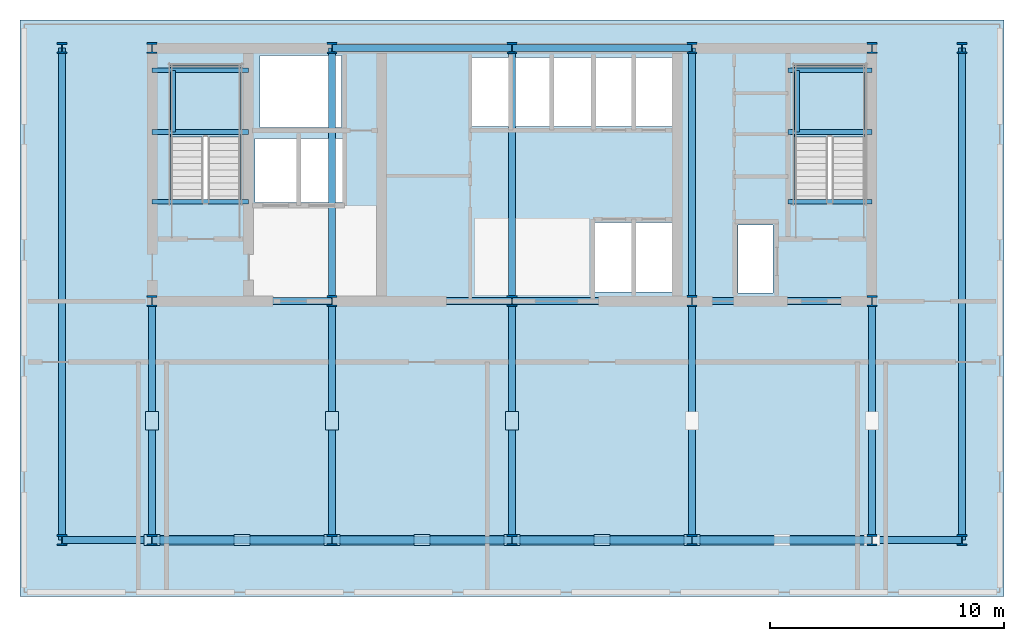
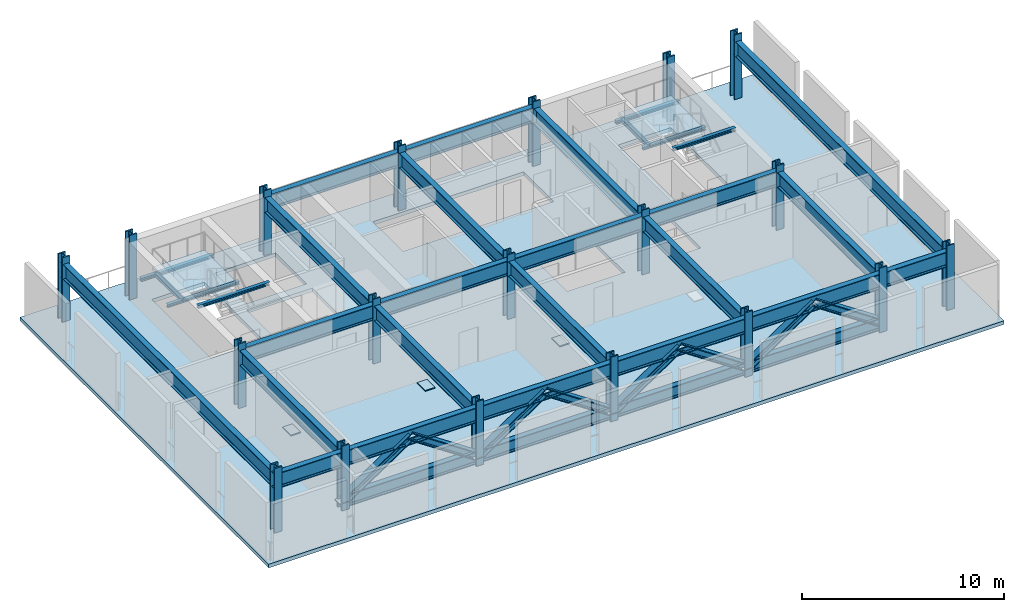
# One storey, part 1 of 7: 30 beams, 19 columns, 12 members, 10 plates, 3 slabs, 2 elements without a shape of their own.
"""IFC4 building model written with IfcOpenShell, lengths in metres."""

from ifc_helpers import new_model, si_unit, direction, frame, origin, origin_2d, place, context, subcontext, project, spatial, polyline, rectangle, i_section, outline, extrude, material, layer, layer_set, material_profile, profile_set, type_object, element, aggregate, save


model = new_model("IFC4")

# Units and contexts
model_context = context("Model", 3, precision=1e-05, world=origin(), true_north=direction((0.0, 1.0)))
body_context = subcontext(model_context, "Body", "Model", "MODEL_VIEW")
ifc_project = project(units=[si_unit("LENGTHUNIT", "METRE"), si_unit("AREAUNIT", "SQUARE_METRE"), si_unit("VOLUMEUNIT", "CUBIC_METRE"), si_unit("PLANEANGLEUNIT", "RADIAN"), si_unit("MASSUNIT", "GRAM", prefix="KILO")], contexts=[model_context])

# Site, building, storey
site_placement = place(None, origin())
site = spatial("IfcSite", under=ifc_project, at=site_placement, CompositionType="ELEMENT")
building_placement = place(site_placement, origin())
building = spatial("IfcBuilding", under=site, at=building_placement, Name="Yelkora Congress Tower", CompositionType="ELEMENT")
storey_placement = place(building_placement, frame((0.0, 0.0, 141.199951171875)))
storey = spatial("IfcBuildingStorey", under=building, at=storey_placement, Name="L38", CompositionType="ELEMENT", Elevation=141.199951171875)

# Columns
ifc_material_1 = material(Name="Steel S460M", Category="steel")
ifc_material_profile_1 = material_profile(ifc_material_1, i_section(OverallWidth=0.424072265625, OverallDepth=0.47412109375, WebThickness=0.047119140625, FlangeThickness=0.076904296875, FilletRadius=0.014892578125, at=origin_2d()), Name="HD 400x634")
ifc_profile_set_1 = profile_set([ifc_material_profile_1], Name="Steel S460M")
column_type = type_object("IfcColumnType", Name="COL-HD-634", PredefinedType="COLUMN", material=ifc_profile_set_1)
for number, where, z_axis, x_axis, name in (
    (1, (23.0400390625, 35.39990234375, 0.0), (0.0, 0.0, 1.0), (1.0, 0.0, 0.0), "L38 Mega Column MC-S1"),
    (2, (23.0400390625, 46.199951171875, 0.0), (0.0, 0.0, 1.0), (1.0, 0.0, 0.0), "L38 Mega Column MC-N1"),
    (3, (23.0400390625, 25.199951171875, 0.0), (0.0, 0.0, 1.0), (1.0, 0.0, 0.0), "L38 Mega Column MC-D1"),
    (4, (30.719970703125, 35.39990234375, 0.0), (0.0, 0.0, 1.0), (1.0, 0.0, 0.0), "L38 Mega Column MC-S2"),
    (5, (30.719970703125, 46.199951171875, 0.0), (0.0, 0.0, 1.0), (1.0, 0.0, 0.0), "L38 Mega Column MC-N2"),
    (6, (30.719970703125, 25.199951171875, 0.0), (0.0, 0.0, 1.0), (1.0, 0.0, 0.0), "L38 Mega Column MC-D2"),
    (7, (38.39990234375, 35.39990234375, 0.0), (0.0, 0.0, 1.0), (1.0, 0.0, 0.0), "L38 Mega Column MC-S3"),
    (8, (38.39990234375, 46.199951171875, 0.0), (0.0, 0.0, 1.0), (1.0, 0.0, 0.0), "L38 Mega Column MC-N3"),
    (9, (38.39990234375, 25.199951171875, 0.0), (0.0, 0.0, 1.0), (1.0, 0.0, 0.0), "L38 Mega Column MC-D3"),
    (10, (46.080078125, 35.39990234375, 0.0), (0.0, 0.0, 1.0), (1.0, 0.0, 0.0), "L38 Mega Column MC-S4"),
    (11, (46.080078125, 46.199951171875, 0.0), (0.0, 0.0, 1.0), (1.0, 0.0, 0.0), "L38 Mega Column MC-N4"),
    (12, (46.080078125, 25.199951171875, 0.0), (0.0, 0.0, 1.0), (1.0, 0.0, 0.0), "L38 Mega Column MC-D4"),
    (13, (53.760009765625, 35.39990234375, 0.0), (0.0, 0.0, 1.0), (1.0, 0.0, 0.0), "L38 Mega Column MC-S5"),
    (14, (53.760009765625, 46.199951171875, 0.0), (0.0, 0.0, 1.0), (1.0, 0.0, 0.0), "L38 Mega Column MC-N5"),
    (15, (53.760009765625, 25.199951171875, 0.0), (0.0, 0.0, 1.0), (1.0, 0.0, 0.0), "L38 Mega Column MC-D5"),
    (16, (19.199951171875, 25.199951171875, 0.0), (0.0, 0.0, 1.0), (1.0, 0.0, 0.0), "L38 Mega Column MC-F1"),
    (17, (57.60009765625, 25.199951171875, 0.0), (0.0, 0.0, 1.0), (1.0, 0.0, 0.0), "L38 Mega Column MC-F2"),
    (18, (19.199951171875, 46.199951171875, 0.0), (0.0, 0.0, 1.0), (1.0, 0.0, 0.0), "L38 Mega Column MC-F3"),
    (19, (57.60009765625, 46.199951171875, 0.0), (0.0, 0.0, 1.0), (1.0, 0.0, 0.0), "L38 Mega Column MC-F4"),
):
    element("IfcColumn", number, at=place(storey_placement, frame(where, z_axis=z_axis, x_axis=x_axis)), inside=storey, type_object=column_type, Name=name, PredefinedType="COLUMN", context=body_context, shape_type="SweptSolid", body=[
        extrude(i_section(OverallWidth=0.424072265625, OverallDepth=0.47412109375, WebThickness=0.047119140625, FlangeThickness=0.076904296875, FilletRadius=0.014892578125, at=origin_2d()), origin(), (0.0, 0.0, 1.0), 3.900146484375),
    ])

# Beams
ifc_material_2 = material(Name="Steel S355J2", Category="steel")
ifc_material_profile_2 = material_profile(ifc_material_2, i_section(OverallWidth=0.199951171875, OverallDepth=0.18994140625, WebThickness=0.006591796875, FlangeThickness=0.010009765625, FilletRadius=0.01806640625, at=origin_2d()), Name="HEA 200")
ifc_profile_set_2 = profile_set([ifc_material_profile_2], Name="Steel S355J2")
beam_type_1 = type_object("IfcBeamType", Name="BM-LAND-HEA200", PredefinedType="BEAM", material=ifc_profile_set_2)
for number, where, z_axis, x_axis, name in (
    (20, (23.0400390625, 42.6201171875, 1.634765625), (1.0, 0.0, 0.0), (0.0, 1.0, 0.0), "ST-01 L38 Landing Header Beam 1S"),
    (21, (23.0400390625, 45.25, 1.634765625), (1.0, 0.0, 0.0), (0.0, 1.0, 0.0), "ST-01 L38 Landing Header Beam 1N"),
):
    element("IfcBeam", number, at=place(storey_placement, frame(where, z_axis=z_axis, x_axis=x_axis)), inside=storey, type_object=beam_type_1, Name=name, PredefinedType="BEAM", context=body_context, shape_type="SweptSolid", body=[
        extrude(i_section(OverallWidth=0.199951171875, OverallDepth=0.18994140625, WebThickness=0.006591796875, FlangeThickness=0.010009765625, FilletRadius=0.01806640625, at=origin_2d()), origin(), (0.0, 0.0, 1.0), 4.10986328125),
    ])
beam_1_placement = place(storey_placement, frame((23.93994140625, 42.6201171875, 1.634765625), z_axis=(0.0, 1.0, 0.0), x_axis=(-1.0, 0.0, 0.0)))
element("IfcBeam", 22, at=beam_1_placement, inside=storey, type_object=beam_type_1, Name="ST-01 L38 Landing Trimmer Beam 1M", PredefinedType="BEAM", context=body_context, shape_type="SweptSolid", body=[
    extrude(i_section(OverallWidth=0.199951171875, OverallDepth=0.18994140625, WebThickness=0.006591796875, FlangeThickness=0.010009765625, FilletRadius=0.01806640625, at=origin_2d()), origin(), (0.0, 0.0, 1.0), 2.6298828125),
])
beam_2_placement = place(storey_placement, frame((23.0400390625, 39.639892578125, 3.384765625), z_axis=(1.0, 0.0, 0.0), x_axis=(0.0, 1.0, 0.0)))
element("IfcBeam", 23, at=beam_2_placement, inside=storey, type_object=beam_type_1, Name="ST-01 L38 Floor Arrival Stringer Header Beam", PredefinedType="BEAM", context=body_context, shape_type="SweptSolid", body=[
    extrude(i_section(OverallWidth=0.199951171875, OverallDepth=0.18994140625, WebThickness=0.006591796875, FlangeThickness=0.010009765625, FilletRadius=0.01806640625, at=origin_2d()), origin(), (0.0, 0.0, 1.0), 4.10986328125),
])
for number, where, z_axis, x_axis, name in (
    (24, (50.179931640625, 42.6201171875, 1.634765625), (1.0, 0.0, 0.0), (0.0, 1.0, 0.0), "ST-02 L38 Landing Header Beam 1S"),
    (25, (50.179931640625, 45.25, 1.634765625), (1.0, 0.0, 0.0), (0.0, 1.0, 0.0), "ST-02 L38 Landing Header Beam 1N"),
):
    element("IfcBeam", number, at=place(storey_placement, frame(where, z_axis=z_axis, x_axis=x_axis)), inside=storey, type_object=beam_type_1, Name=name, PredefinedType="BEAM", context=body_context, shape_type="SweptSolid", body=[
        extrude(i_section(OverallWidth=0.199951171875, OverallDepth=0.18994140625, WebThickness=0.006591796875, FlangeThickness=0.010009765625, FilletRadius=0.01806640625, at=origin_2d()), origin(), (0.0, 0.0, 1.0), 3.580078125),
    ])
beam_3_placement = place(storey_placement, frame((50.580078125, 42.6201171875, 1.634765625), z_axis=(0.0, 1.0, 0.0), x_axis=(-1.0, 0.0, 0.0)))
element("IfcBeam", 26, at=beam_3_placement, inside=storey, type_object=beam_type_1, Name="ST-02 L38 Landing Trimmer Beam 1M", PredefinedType="BEAM", context=body_context, shape_type="SweptSolid", body=[
    extrude(i_section(OverallWidth=0.199951171875, OverallDepth=0.18994140625, WebThickness=0.006591796875, FlangeThickness=0.010009765625, FilletRadius=0.01806640625, at=origin_2d()), origin(), (0.0, 0.0, 1.0), 2.6298828125),
])
beam_4_placement = place(storey_placement, frame((50.179931640625, 39.639892578125, 3.384765625), z_axis=(1.0, 0.0, 0.0), x_axis=(0.0, 1.0, 0.0)))
element("IfcBeam", 27, at=beam_4_placement, inside=storey, type_object=beam_type_1, Name="ST-02 L38 Floor Arrival Stringer Header Beam", PredefinedType="BEAM", context=body_context, shape_type="SweptSolid", body=[
    extrude(i_section(OverallWidth=0.199951171875, OverallDepth=0.18994140625, WebThickness=0.006591796875, FlangeThickness=0.010009765625, FilletRadius=0.01806640625, at=origin_2d()), origin(), (0.0, 0.0, 1.0), 3.580078125),
])
ifc_material_profile_3 = material_profile(ifc_material_1, i_section(OverallWidth=0.302001953125, OverallDepth=0.909912109375, WebThickness=0.02099609375, FlangeThickness=0.0400390625, FilletRadius=0.030029296875, at=origin_2d()), Name="HEM 900")
ifc_profile_set_3 = profile_set([ifc_material_profile_3], Name="Steel S460M")
beam_type_2 = type_object("IfcBeamType", Name="BM-XFER-HEM900", PredefinedType="BEAM", material=ifc_profile_set_3)
beam_5_placement = place(storey_placement, frame((19.199951171875, 25.199951171875, 3.025146484375), z_axis=(1.0, 0.0, 0.0), x_axis=(0.0, 1.0, 0.0)))
element("IfcBeam", 28, at=beam_5_placement, inside=storey, type_object=beam_type_2, Name="L38 Spine Grid D Girder 1", PredefinedType="BEAM", context=body_context, shape_type="SweptSolid", body=[
    extrude(i_section(OverallWidth=0.302001953125, OverallDepth=0.909912109375, WebThickness=0.02099609375, FlangeThickness=0.0400390625, FilletRadius=0.030029296875, at=origin_2d()), origin(), (0.0, 0.0, 1.0), 3.840087890625),
])
for number, where, z_axis, x_axis, name in (
    (29, (23.0400390625, 25.199951171875, 3.025146484375), (1.0, 0.0, 0.0), (0.0, 1.0, 0.0), "L38 Spine Grid D Girder 2"),
    (30, (30.719970703125, 25.199951171875, 3.025146484375), (1.0, 0.0, 0.0), (0.0, 1.0, 0.0), "L38 Spine Grid D Girder 3"),
):
    element("IfcBeam", number, at=place(storey_placement, frame(where, z_axis=z_axis, x_axis=x_axis)), inside=storey, type_object=beam_type_2, Name=name, PredefinedType="BEAM", context=body_context, shape_type="SweptSolid", body=[
        extrude(i_section(OverallWidth=0.302001953125, OverallDepth=0.909912109375, WebThickness=0.02099609375, FlangeThickness=0.0400390625, FilletRadius=0.030029296875, at=origin_2d()), origin(), (0.0, 0.0, 1.0), 7.679931640625),
    ])
beam_6_placement = place(storey_placement, frame((38.39990234375, 25.199951171875, 3.025146484375), z_axis=(1.0, 0.0, 0.0), x_axis=(0.0, 1.0, 0.0)))
element("IfcBeam", 31, at=beam_6_placement, inside=storey, type_object=beam_type_2, Name="L38 Spine Grid D Girder 4", PredefinedType="BEAM", context=body_context, shape_type="SweptSolid", body=[
    extrude(i_section(OverallWidth=0.302001953125, OverallDepth=0.909912109375, WebThickness=0.02099609375, FlangeThickness=0.0400390625, FilletRadius=0.030029296875, at=origin_2d()), origin(), (0.0, 0.0, 1.0), 7.68017578125),
])
beam_7_placement = place(storey_placement, frame((46.080078125, 25.199951171875, 3.025146484375), z_axis=(1.0, 0.0, 0.0), x_axis=(0.0, 1.0, 0.0)))
element("IfcBeam", 32, at=beam_7_placement, inside=storey, type_object=beam_type_2, Name="L38 Spine Grid D Girder 5", PredefinedType="BEAM", context=body_context, shape_type="SweptSolid", body=[
    extrude(i_section(OverallWidth=0.302001953125, OverallDepth=0.909912109375, WebThickness=0.02099609375, FlangeThickness=0.0400390625, FilletRadius=0.030029296875, at=origin_2d()), origin(), (0.0, 0.0, 1.0), 7.679931640625),
])
beam_8_placement = place(storey_placement, frame((53.760009765625, 25.199951171875, 3.025146484375), z_axis=(1.0, 0.0, 0.0), x_axis=(0.0, 1.0, 0.0)))
element("IfcBeam", 33, at=beam_8_placement, inside=storey, type_object=beam_type_2, Name="L38 Spine Grid D Girder 6", PredefinedType="BEAM", context=body_context, shape_type="SweptSolid", body=[
    extrude(i_section(OverallWidth=0.302001953125, OverallDepth=0.909912109375, WebThickness=0.02099609375, FlangeThickness=0.0400390625, FilletRadius=0.030029296875, at=origin_2d()), origin(), (0.0, 0.0, 1.0), 3.840087890625),
])
beam_9_placement = place(storey_placement, frame((30.719970703125, 46.199951171875, 3.025146484375), z_axis=(1.0, 0.0, 0.0), x_axis=(0.0, 1.0, 0.0)))
element("IfcBeam", 34, at=beam_9_placement, inside=storey, type_object=beam_type_2, Name="L38 Core North Girder 3", PredefinedType="BEAM", context=body_context, shape_type="SweptSolid", body=[
    extrude(i_section(OverallWidth=0.302001953125, OverallDepth=0.909912109375, WebThickness=0.02099609375, FlangeThickness=0.0400390625, FilletRadius=0.030029296875, at=origin_2d()), origin(), (0.0, 0.0, 1.0), 7.679931640625),
])
beam_10_placement = place(storey_placement, frame((38.39990234375, 46.199951171875, 3.025146484375), z_axis=(1.0, 0.0, 0.0), x_axis=(0.0, 1.0, 0.0)))
element("IfcBeam", 35, at=beam_10_placement, inside=storey, type_object=beam_type_2, Name="L38 Core North Girder 4", PredefinedType="BEAM", context=body_context, shape_type="SweptSolid", body=[
    extrude(i_section(OverallWidth=0.302001953125, OverallDepth=0.909912109375, WebThickness=0.02099609375, FlangeThickness=0.0400390625, FilletRadius=0.030029296875, at=origin_2d()), origin(), (0.0, 0.0, 1.0), 7.68017578125),
])
for number, where, z_axis, x_axis, name in (
    (36, (23.0400390625, 35.39990234375, 3.025146484375), (1.0, 0.0, 0.0), (0.0, 1.0, 0.0), "L38 Core South Girder 1"),
    (37, (30.719970703125, 35.39990234375, 3.025146484375), (1.0, 0.0, 0.0), (0.0, 1.0, 0.0), "L38 Core South Girder 2"),
):
    element("IfcBeam", number, at=place(storey_placement, frame(where, z_axis=z_axis, x_axis=x_axis)), inside=storey, type_object=beam_type_2, Name=name, PredefinedType="BEAM", context=body_context, shape_type="SweptSolid", body=[
        extrude(i_section(OverallWidth=0.302001953125, OverallDepth=0.909912109375, WebThickness=0.02099609375, FlangeThickness=0.0400390625, FilletRadius=0.030029296875, at=origin_2d()), origin(), (0.0, 0.0, 1.0), 7.679931640625),
    ])
beam_11_placement = place(storey_placement, frame((38.39990234375, 35.39990234375, 3.025146484375), z_axis=(1.0, 0.0, 0.0), x_axis=(0.0, 1.0, 0.0)))
element("IfcBeam", 38, at=beam_11_placement, inside=storey, type_object=beam_type_2, Name="L38 Core South Girder 3", PredefinedType="BEAM", context=body_context, shape_type="SweptSolid", body=[
    extrude(i_section(OverallWidth=0.302001953125, OverallDepth=0.909912109375, WebThickness=0.02099609375, FlangeThickness=0.0400390625, FilletRadius=0.030029296875, at=origin_2d()), origin(), (0.0, 0.0, 1.0), 7.68017578125),
])
beam_12_placement = place(storey_placement, frame((46.080078125, 35.39990234375, 3.025146484375), z_axis=(1.0, 0.0, 0.0), x_axis=(0.0, 1.0, 0.0)))
element("IfcBeam", 39, at=beam_12_placement, inside=storey, type_object=beam_type_2, Name="L38 Core South Girder 4", PredefinedType="BEAM", context=body_context, shape_type="SweptSolid", body=[
    extrude(i_section(OverallWidth=0.302001953125, OverallDepth=0.909912109375, WebThickness=0.02099609375, FlangeThickness=0.0400390625, FilletRadius=0.030029296875, at=origin_2d()), origin(), (0.0, 0.0, 1.0), 7.679931640625),
])
for number, where, z_axis, x_axis, name in (
    (40, (23.0400390625, 25.199951171875, 3.025146484375), (0.0, 1.0, 0.0), (-1.0, 0.0, 0.0), "L38 Core Tie Girder MC-D1"),
    (41, (30.719970703125, 25.199951171875, 3.025146484375), (0.0, 1.0, 0.0), (-1.0, 0.0, 0.0), "L38 Core Tie Girder MC-D2"),
):
    element("IfcBeam", number, at=place(storey_placement, frame(where, z_axis=z_axis, x_axis=x_axis)), inside=storey, type_object=beam_type_2, Name=name, PredefinedType="BEAM", context=body_context, shape_type="SweptSolid", body=[
        extrude(i_section(OverallWidth=0.302001953125, OverallDepth=0.909912109375, WebThickness=0.02099609375, FlangeThickness=0.0400390625, FilletRadius=0.030029296875, at=origin_2d()), origin(), (0.0, 0.0, 1.0), 10.199951171875),
    ])
beam_13_placement = place(storey_placement, frame((30.719970703125, 35.39990234375, 3.025146484375), z_axis=(0.0, 1.0, 0.0), x_axis=(-1.0, 0.0, 0.0)))
element("IfcBeam", 42, at=beam_13_placement, inside=storey, type_object=beam_type_2, Name="L38 Core Tie Girder MC-S2", PredefinedType="BEAM", context=body_context, shape_type="SweptSolid", body=[
    extrude(i_section(OverallWidth=0.302001953125, OverallDepth=0.909912109375, WebThickness=0.02099609375, FlangeThickness=0.0400390625, FilletRadius=0.030029296875, at=origin_2d()), origin(), (0.0, 0.0, 1.0), 10.800048828125),
])
beam_14_placement = place(storey_placement, frame((38.39990234375, 25.199951171875, 3.025146484375), z_axis=(0.0, 1.0, 0.0), x_axis=(-1.0, 0.0, 0.0)))
element("IfcBeam", 43, at=beam_14_placement, inside=storey, type_object=beam_type_2, Name="L38 Core Tie Girder MC-D3", PredefinedType="BEAM", context=body_context, shape_type="SweptSolid", body=[
    extrude(i_section(OverallWidth=0.302001953125, OverallDepth=0.909912109375, WebThickness=0.02099609375, FlangeThickness=0.0400390625, FilletRadius=0.030029296875, at=origin_2d()), origin(), (0.0, 0.0, 1.0), 10.199951171875),
])
beam_15_placement = place(storey_placement, frame((38.39990234375, 35.39990234375, 3.025146484375), z_axis=(0.0, 1.0, 0.0), x_axis=(-1.0, 0.0, 0.0)))
element("IfcBeam", 44, at=beam_15_placement, inside=storey, type_object=beam_type_2, Name="L38 Core Tie Girder MC-S3", PredefinedType="BEAM", context=body_context, shape_type="SweptSolid", body=[
    extrude(i_section(OverallWidth=0.302001953125, OverallDepth=0.909912109375, WebThickness=0.02099609375, FlangeThickness=0.0400390625, FilletRadius=0.030029296875, at=origin_2d()), origin(), (0.0, 0.0, 1.0), 10.800048828125),
])
beam_16_placement = place(storey_placement, frame((46.080078125, 25.199951171875, 3.025146484375), z_axis=(0.0, 1.0, 0.0), x_axis=(-1.0, 0.0, 0.0)))
element("IfcBeam", 45, at=beam_16_placement, inside=storey, type_object=beam_type_2, Name="L38 Core Tie Girder MC-D4", PredefinedType="BEAM", context=body_context, shape_type="SweptSolid", body=[
    extrude(i_section(OverallWidth=0.302001953125, OverallDepth=0.909912109375, WebThickness=0.02099609375, FlangeThickness=0.0400390625, FilletRadius=0.030029296875, at=origin_2d()), origin(), (0.0, 0.0, 1.0), 10.199951171875),
])
beam_17_placement = place(storey_placement, frame((46.080078125, 35.39990234375, 3.025146484375), z_axis=(0.0, 1.0, 0.0), x_axis=(-1.0, 0.0, 0.0)))
element("IfcBeam", 46, at=beam_17_placement, inside=storey, type_object=beam_type_2, Name="L38 Core Tie Girder MC-S4", PredefinedType="BEAM", context=body_context, shape_type="SweptSolid", body=[
    extrude(i_section(OverallWidth=0.302001953125, OverallDepth=0.909912109375, WebThickness=0.02099609375, FlangeThickness=0.0400390625, FilletRadius=0.030029296875, at=origin_2d()), origin(), (0.0, 0.0, 1.0), 10.800048828125),
])
beam_18_placement = place(storey_placement, frame((53.760009765625, 25.199951171875, 3.025146484375), z_axis=(0.0, 1.0, 0.0), x_axis=(-1.0, 0.0, 0.0)))
element("IfcBeam", 47, at=beam_18_placement, inside=storey, type_object=beam_type_2, Name="L38 Core Tie Girder MC-D5", PredefinedType="BEAM", context=body_context, shape_type="SweptSolid", body=[
    extrude(i_section(OverallWidth=0.302001953125, OverallDepth=0.909912109375, WebThickness=0.02099609375, FlangeThickness=0.0400390625, FilletRadius=0.030029296875, at=origin_2d()), origin(), (0.0, 0.0, 1.0), 10.199951171875),
])
for number, where, z_axis, x_axis, name in (
    (48, (19.199951171875, 25.199951171875, 3.025146484375), (0.0, 1.0, 0.0), (-1.0, 0.0, 0.0), "L38 Neck Flank Girder MC-F1"),
    (49, (57.60009765625, 25.199951171875, 3.025146484375), (0.0, 1.0, 0.0), (-1.0, 0.0, 0.0), "L38 Neck Flank Girder MC-F2"),
):
    element("IfcBeam", number, at=place(storey_placement, frame(where, z_axis=z_axis, x_axis=x_axis)), inside=storey, type_object=beam_type_2, Name=name, PredefinedType="BEAM", context=body_context, shape_type="SweptSolid", body=[
        extrude(i_section(OverallWidth=0.302001953125, OverallDepth=0.909912109375, WebThickness=0.02099609375, FlangeThickness=0.0400390625, FilletRadius=0.030029296875, at=origin_2d()), origin(), (0.0, 0.0, 1.0), 21.0),
    ])

# Members
ifc_material_profile_4 = material_profile(ifc_material_1, i_section(OverallWidth=0.406005859375, OverallDepth=0.416015625, WebThickness=0.02978515625, FlangeThickness=0.048095703125, FilletRadius=0.014892578125, at=origin_2d()), Name="HD 400x382")
ifc_profile_set_4 = profile_set([ifc_material_profile_4], Name="Steel S460M")
member_type_1 = type_object("IfcMemberType", Name="MEM-BRACE-HD382", PredefinedType="BRACE", material=ifc_profile_set_4)
member_1_placement = place(storey_placement, frame((23.0400390625, 25.199951171875, 0.449951171875), z_axis=(0.830031277085, 0.0, 0.557716844878), x_axis=(0.0, 1.0, 0.0)))
element("IfcMember", 50, at=member_1_placement, inside=storey, type_object=member_type_1, Name="N2 L38 Outrigger Belt Diagonal 1A", PredefinedType="BRACE", context=body_context, shape_type="SweptSolid", body=[
    extrude(i_section(OverallWidth=0.406005859375, OverallDepth=0.416015625, WebThickness=0.02978515625, FlangeThickness=0.048095703125, FilletRadius=0.014892578125, at=origin_2d()), origin(), (0.0, 0.0, 1.0), 4.626220703125),
])
for number, where, z_axis, x_axis, name in (
    (51, (30.719970703125, 25.199951171875, 0.449951171875), (-0.830047691294, 0.0, 0.557692415385), (0.0, -1.0, 0.0), "N2 L38 Outrigger Belt Diagonal 1B"),
    (52, (30.719970703125, 25.199951171875, 0.449951171875), (0.830047691294, 0.0, 0.557692415385), (0.0, 1.0, 0.0), "N2 L38 Outrigger Belt Diagonal 2A"),
):
    element("IfcMember", number, at=place(storey_placement, frame(where, z_axis=z_axis, x_axis=x_axis)), inside=storey, type_object=member_type_1, Name=name, PredefinedType="BRACE", context=body_context, shape_type="SweptSolid", body=[
        extrude(i_section(OverallWidth=0.406005859375, OverallDepth=0.416015625, WebThickness=0.02978515625, FlangeThickness=0.048095703125, FilletRadius=0.014892578125, at=origin_2d()), origin(), (0.0, 0.0, 1.0), 4.62646484375),
    ])
member_2_placement = place(storey_placement, frame((38.39990234375, 25.199951171875, 0.449951171875), z_axis=(-0.830031277085, 0.0, 0.557716844878), x_axis=(0.0, -1.0, 0.0)))
element("IfcMember", 53, at=member_2_placement, inside=storey, type_object=member_type_1, Name="N2 L38 Outrigger Belt Diagonal 2B", PredefinedType="BRACE", context=body_context, shape_type="SweptSolid", body=[
    extrude(i_section(OverallWidth=0.406005859375, OverallDepth=0.416015625, WebThickness=0.02978515625, FlangeThickness=0.048095703125, FilletRadius=0.014892578125, at=origin_2d()), origin(), (0.0, 0.0, 1.0), 4.626220703125),
])
for number, where, z_axis, x_axis, name in (
    (54, (38.39990234375, 25.199951171875, 0.449951171875), (0.830047691294, 0.0, 0.557692415385), (0.0, 1.0, 0.0), "N2 L38 Outrigger Belt Diagonal 3A"),
    (55, (46.080078125, 25.199951171875, 0.449951171875), (-0.830047691294, 0.0, 0.557692415385), (0.0, -1.0, 0.0), "N2 L38 Outrigger Belt Diagonal 3B"),
):
    element("IfcMember", number, at=place(storey_placement, frame(where, z_axis=z_axis, x_axis=x_axis)), inside=storey, type_object=member_type_1, Name=name, PredefinedType="BRACE", context=body_context, shape_type="SweptSolid", body=[
        extrude(i_section(OverallWidth=0.406005859375, OverallDepth=0.416015625, WebThickness=0.02978515625, FlangeThickness=0.048095703125, FilletRadius=0.014892578125, at=origin_2d()), origin(), (0.0, 0.0, 1.0), 4.62646484375),
    ])
member_3_placement = place(storey_placement, frame((46.080078125, 25.199951171875, 0.449951171875), z_axis=(0.830031277085, 0.0, 0.557716844878), x_axis=(0.0, 1.0, 0.0)))
element("IfcMember", 56, at=member_3_placement, inside=storey, type_object=member_type_1, Name="N2 L38 Outrigger Belt Diagonal 4A", PredefinedType="BRACE", context=body_context, shape_type="SweptSolid", body=[
    extrude(i_section(OverallWidth=0.406005859375, OverallDepth=0.416015625, WebThickness=0.02978515625, FlangeThickness=0.048095703125, FilletRadius=0.014892578125, at=origin_2d()), origin(), (0.0, 0.0, 1.0), 4.626220703125),
])
member_4_placement = place(storey_placement, frame((53.760009765625, 25.199951171875, 0.449951171875), z_axis=(-0.830047691294, 0.0, 0.557692415385), x_axis=(0.0, -1.0, 0.0)))
element("IfcMember", 57, at=member_4_placement, inside=storey, type_object=member_type_1, Name="N2 L38 Outrigger Belt Diagonal 4B", PredefinedType="BRACE", context=body_context, shape_type="SweptSolid", body=[
    extrude(i_section(OverallWidth=0.406005859375, OverallDepth=0.416015625, WebThickness=0.02978515625, FlangeThickness=0.048095703125, FilletRadius=0.014892578125, at=origin_2d()), origin(), (0.0, 0.0, 1.0), 4.62646484375),
])
ifc_material_profile_5 = material_profile(ifc_material_1, i_section(OverallWidth=0.303955078125, OverallDepth=0.716064453125, WebThickness=0.02099609375, FlangeThickness=0.0400390625, FilletRadius=0.027099609375, at=origin_2d()), Name="HEM 700")
ifc_profile_set_5 = profile_set([ifc_material_profile_5], Name="Steel S460M")
member_type_2 = type_object("IfcMemberType", Name="MEM-CHORD-HEM700", PredefinedType="CHORD", material=ifc_profile_set_5)
for number, where, z_axis, x_axis, name in (
    (58, (23.0400390625, 25.199951171875, 0.449951171875), (1.0, 0.0, 0.0), (0.0, 1.0, 0.0), "N2 L38 Belt Truss Chord 1"),
    (59, (30.719970703125, 25.199951171875, 0.449951171875), (1.0, 0.0, 0.0), (0.0, 1.0, 0.0), "N2 L38 Belt Truss Chord 2"),
):
    element("IfcMember", number, at=place(storey_placement, frame(where, z_axis=z_axis, x_axis=x_axis)), inside=storey, type_object=member_type_2, Name=name, PredefinedType="CHORD", context=body_context, shape_type="SweptSolid", body=[
        extrude(i_section(OverallWidth=0.303955078125, OverallDepth=0.716064453125, WebThickness=0.02099609375, FlangeThickness=0.0400390625, FilletRadius=0.027099609375, at=origin_2d()), origin(), (0.0, 0.0, 1.0), 7.679931640625),
    ])
member_5_placement = place(storey_placement, frame((38.39990234375, 25.199951171875, 0.449951171875), z_axis=(1.0, 0.0, 0.0), x_axis=(0.0, 1.0, 0.0)))
element("IfcMember", 60, at=member_5_placement, inside=storey, type_object=member_type_2, Name="N2 L38 Belt Truss Chord 3", PredefinedType="CHORD", context=body_context, shape_type="SweptSolid", body=[
    extrude(i_section(OverallWidth=0.303955078125, OverallDepth=0.716064453125, WebThickness=0.02099609375, FlangeThickness=0.0400390625, FilletRadius=0.027099609375, at=origin_2d()), origin(), (0.0, 0.0, 1.0), 7.68017578125),
])
member_6_placement = place(storey_placement, frame((46.080078125, 25.199951171875, 0.449951171875), z_axis=(1.0, 0.0, 0.0), x_axis=(0.0, 1.0, 0.0)))
element("IfcMember", 61, at=member_6_placement, inside=storey, type_object=member_type_2, Name="N2 L38 Belt Truss Chord 4", PredefinedType="CHORD", context=body_context, shape_type="SweptSolid", body=[
    extrude(i_section(OverallWidth=0.303955078125, OverallDepth=0.716064453125, WebThickness=0.02099609375, FlangeThickness=0.0400390625, FilletRadius=0.027099609375, at=origin_2d()), origin(), (0.0, 0.0, 1.0), 7.679931640625),
])

# Plates
ifc_layer_1 = layer(ifc_material_2, 0.050048828125)
ifc_layer_set_1 = layer_set([ifc_layer_1], Name="Steel S355J2")
plate_type_1 = type_object("IfcPlateType", Name="PLT-GUSSET-680x480", PredefinedType="USERDEFINED", material=ifc_layer_set_1)
for number, where, z_axis, x_axis, name in (
    (62, (26.8798828125, 25.199951171875, 3.0048828125), (0.0, 0.0, 1.0), (1.0, 0.0, 0.0), "N2 L38 Belt Truss Apex Gusset Plate 1"),
    (63, (23.0400390625, 25.199951171875, 0.4248046875), (0.0, 0.0, 1.0), (1.0, 0.0, 0.0), "N2 L38 Belt Truss Foot Gusset Plate 1L"),
    (64, (34.56005859375, 25.199951171875, 3.0048828125), (0.0, 0.0, 1.0), (1.0, 0.0, 0.0), "N2 L38 Belt Truss Apex Gusset Plate 2"),
    (65, (30.719970703125, 25.199951171875, 0.4248046875), (0.0, 0.0, 1.0), (1.0, 0.0, 0.0), "N2 L38 Belt Truss Foot Gusset Plate 2L"),
    (66, (42.239990234375, 25.199951171875, 3.0048828125), (0.0, 0.0, 1.0), (1.0, 0.0, 0.0), "N2 L38 Belt Truss Apex Gusset Plate 3"),
    (67, (38.39990234375, 25.199951171875, 0.4248046875), (0.0, 0.0, 1.0), (1.0, 0.0, 0.0), "N2 L38 Belt Truss Foot Gusset Plate 3L"),
    (68, (46.080078125, 25.199951171875, 0.4248046875), (0.0, 0.0, 1.0), (1.0, 0.0, 0.0), "N2 L38 Belt Truss Foot Gusset Plate 4L"),
):
    element("IfcPlate", number, at=place(storey_placement, frame(where, z_axis=z_axis, x_axis=x_axis)), inside=storey, type_object=plate_type_1, Name=name, ObjectType="GUSSET_PLATE", PredefinedType="USERDEFINED", context=body_context, shape_type="SweptSolid", body=[
        extrude(rectangle(XDim=0.679931640625, YDim=0.47998046875, at=origin_2d()), origin(), (0.0, 0.0, 1.0), 0.050048828125),
    ])
ifc_layer_2 = layer(ifc_material_1, 0.06005859375)
ifc_layer_set_2 = layer_set([ifc_layer_2], Name="Steel S460M")
plate_type_2 = type_object("IfcPlateType", Name="PLT-GUSSET-800x560", PredefinedType="USERDEFINED", material=ifc_layer_set_2)
for number, where, z_axis, x_axis, name in (
    (69, (23.0400390625, 30.300048828125, 1.56005859375), (0.0, 0.0, 1.0), (0.0, 1.0, 0.0), "N2 Outrigger X-Brace Crossing Gusset Plate 1"),
    (70, (30.719970703125, 30.300048828125, 1.56005859375), (0.0, 0.0, 1.0), (0.0, 1.0, 0.0), "N2 Outrigger X-Brace Crossing Gusset Plate 2"),
    (71, (38.39990234375, 30.300048828125, 1.56005859375), (0.0, 0.0, 1.0), (0.0, 1.0, 0.0), "N2 Outrigger X-Brace Crossing Gusset Plate 3"),
):
    element("IfcPlate", number, at=place(storey_placement, frame(where, z_axis=z_axis, x_axis=x_axis)), inside=storey, type_object=plate_type_2, Name=name, ObjectType="GUSSET_PLATE", PredefinedType="USERDEFINED", context=body_context, shape_type="SweptSolid", body=[
        extrude(rectangle(XDim=0.800048828125, YDim=0.56005859375, at=origin_2d()), origin(), (0.0, 0.0, 1.0), 0.06005859375),
    ])

# Stair, slab
ifc_material_3 = material(Name="Concrete C40/50", Category="concrete")
stair_type = type_object("IfcStairType", Name="STAIR-HT-1420-R22-177", PredefinedType="HALF_TURN_STAIR", material=ifc_material_3)
stair_1_placement = place(storey_placement, origin())
stair_1 = element("IfcStair", 72, at=stair_1_placement, inside=storey, type_object=stair_type, Name="West Core Protected Exit Stair ST-01 (L38)", PredefinedType="HALF_TURN_STAIR")
ifc_layer_3 = layer(ifc_material_3, 0.219970703125)
ifc_layer_set_3 = layer_set([ifc_layer_3], Name="Concrete C40/50")
slab_type_1 = type_object("IfcSlabType", Name="SLAB-LANDING-220", PredefinedType="LANDING", material=ifc_layer_set_3)
slab_1_placement = place(storey_placement, frame((0.0, 0.0, 1.72998046875)))
slab_1 = element("IfcSlab", 73, at=slab_1_placement, type_object=slab_type_1, Name="ST-01 L38 Half Landing 1", PredefinedType="LANDING", context=body_context, shape_type="SweptSolid", body=[
    extrude(outline(polyline([(26.820068359375, 42.39990234375), (26.820068359375, 45.469970703125), (23.820068359375, 45.469970703125), (23.820068359375, 42.39990234375), (26.820068359375, 42.39990234375)])), origin(), (0.0, 0.0, 1.0), 0.219970703125),
])
aggregate(stair_1, [slab_1])

stair_2_placement = place(storey_placement, origin())
stair_2 = element("IfcStair", 74, at=stair_2_placement, inside=storey, type_object=stair_type, Name="East Core Protected Exit Stair ST-02 (L38)", PredefinedType="HALF_TURN_STAIR")
slab_2_placement = place(storey_placement, frame((0.0, 0.0, 1.72998046875)))
slab_2 = element("IfcSlab", 75, at=slab_2_placement, type_object=slab_type_1, Name="ST-02 L38 Half Landing 1", PredefinedType="LANDING", context=body_context, shape_type="SweptSolid", body=[
    extrude(outline(polyline([(53.4599609375, 42.39990234375), (53.4599609375, 45.469970703125), (50.4599609375, 45.469970703125), (50.4599609375, 42.39990234375), (53.4599609375, 42.39990234375)])), origin(), (0.0, 0.0, 1.0), 0.219970703125),
])
aggregate(stair_2, [slab_2])

# Slab
ifc_layer_4 = layer(ifc_material_3, 0.219970703125)
ifc_layer_set_4 = layer_set([ifc_layer_4], Name="Concrete C40/50")
slab_type_2 = type_object("IfcSlabType", Name="SLAB-TWR-220", PredefinedType="FLOOR", material=ifc_layer_set_4)
slab_3_placement = place(storey_placement, frame((0.0, 0.0, -0.219970703125)))
element("IfcSlab", 76, at=slab_3_placement, inside=storey, type_object=slab_type_2, Name="L38 Structural Floor Slab", PredefinedType="FLOOR", context=body_context, shape_type="SweptSolid", body=[
    extrude(outline(polyline([(17.39990234375, 22.800048828125), (59.39990234375, 22.800048828125), (59.39990234375, 47.39990234375), (17.39990234375, 47.39990234375), (17.39990234375, 22.800048828125)]), holes=[polyline([(23.820068359375, 39.6298828125), (26.820068359375, 39.6298828125), (26.820068359375, 45.469970703125), (23.820068359375, 45.469970703125), (23.820068359375, 39.6298828125)]), polyline([(50.4599609375, 39.6298828125), (53.4599609375, 39.6298828125), (53.4599609375, 45.469970703125), (50.4599609375, 45.469970703125), (50.4599609375, 39.6298828125)]), polyline([(48.050048828125, 35.75), (49.550048828125, 35.75), (49.550048828125, 38.64990234375), (48.050048828125, 38.64990234375), (48.050048828125, 35.75)]), polyline([(36.64990234375, 42.85009765625), (45.25, 42.85009765625), (45.25, 45.800048828125), (36.64990234375, 45.800048828125), (36.64990234375, 42.85009765625)]), polyline([(41.949951171875, 35.800048828125), (45.25, 35.800048828125), (45.25, 38.75), (41.949951171875, 38.75), (41.949951171875, 35.800048828125)]), polyline([(27.419921875, 39.60009765625), (31.179931640625, 39.60009765625), (31.179931640625, 42.35009765625), (27.419921875, 42.35009765625), (27.419921875, 39.60009765625)]), polyline([(27.64990234375, 42.820068359375), (31.1201171875, 42.820068359375), (31.1201171875, 45.8798828125), (27.64990234375, 45.8798828125), (27.64990234375, 42.820068359375)])]), origin(), (0.0, 0.0, 1.0), 0.219970703125),
])

save(model, "model.ifc")
